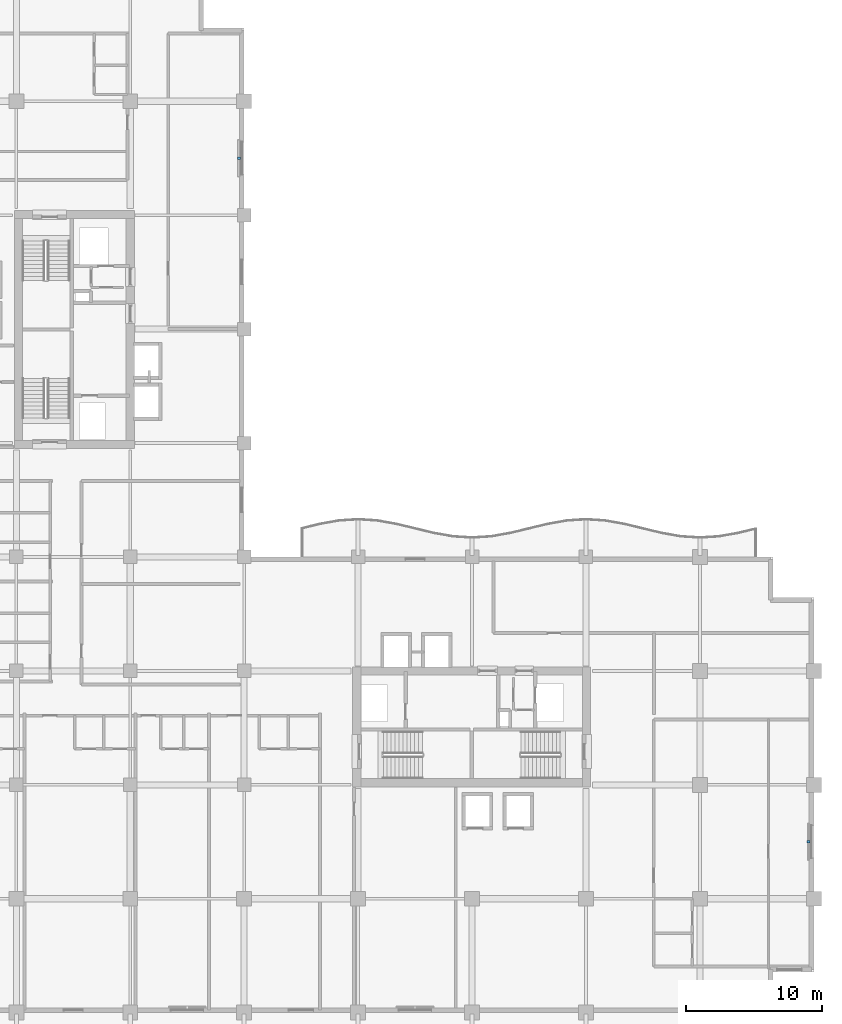
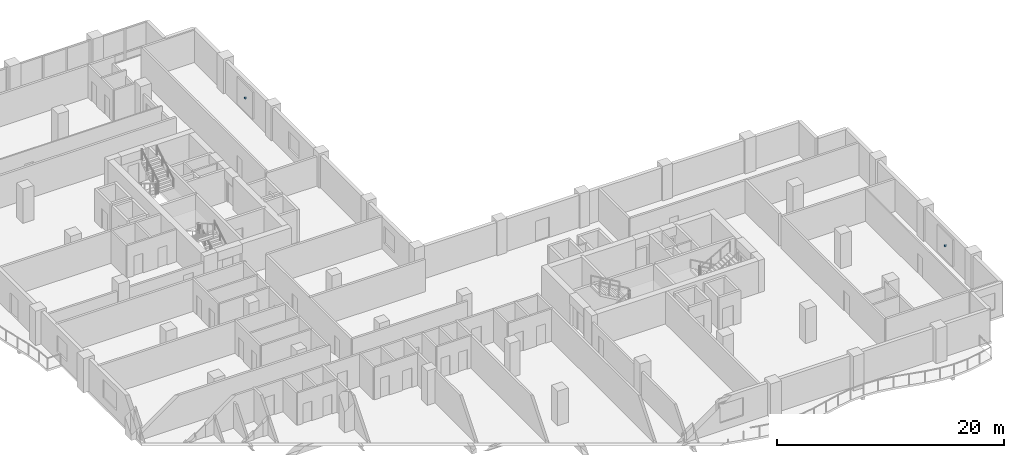
# One storey, part 15 of 19: 2 discrete accessories.
"""IFC4 building model written with IfcOpenShell, lengths in metres."""

from ifc_helpers import new_model, si_unit, direction, frame, origin, origin_2d, place, context, subcontext, project, spatial, rectangle, extrude, material, type_object, element, save


model = new_model("IFC4")

# Units and contexts
model_context = context("Model", 3, precision=1e-05, world=origin(), true_north=direction((0.0, 1.0)))
body_context = subcontext(model_context, "Body", "Model", "MODEL_VIEW")
ifc_project = project(units=[si_unit("LENGTHUNIT", "METRE"), si_unit("AREAUNIT", "SQUARE_METRE"), si_unit("VOLUMEUNIT", "CUBIC_METRE"), si_unit("PLANEANGLEUNIT", "RADIAN"), si_unit("MASSUNIT", "GRAM", prefix="KILO")], contexts=[model_context])

# Site, building, storey
site_placement = place(None, origin())
site = spatial("IfcSite", under=ifc_project, at=site_placement, CompositionType="ELEMENT")
building_placement = place(site_placement, origin())
building = spatial("IfcBuilding", under=site, at=building_placement, Name="Koriwani Terraces Tower", CompositionType="ELEMENT")
storey_placement = place(building_placement, frame((0.0, 0.0, 190.199951171875)))
storey = spatial("IfcBuildingStorey", under=building, at=storey_placement, Name="L46", CompositionType="ELEMENT", Elevation=190.199951171875)

# Discrete accessories
ifc_material = material(Name="Steel ASTM A572 Grade 50", Category="steel")
discrete_accessory_type = type_object("IfcDiscreteAccessoryType", Name="BAGUETTE_STANDOFF_BRACKET", PredefinedType="BRACKET", material=ifc_material)
for number, where, z_axis, x_axis, name in (
    (1, (33.2099609375, 63.0, 1.64501953125), (0.0, 0.0, 1.0), (0.0, -1.0, 0.0), "L46 Terracotta Baguette Bracket (NW_IN-11)"),
    (2, (75.2099609375, 12.60009765625, 1.64501953125), (0.0, 0.0, 1.0), (0.0, -1.0, 0.0), "L46 Terracotta Baguette Bracket (E_TIP-3)"),
):
    element("IfcDiscreteAccessory", number, at=place(storey_placement, frame(where, z_axis=z_axis, x_axis=x_axis)), inside=storey, type_object=discrete_accessory_type, Name=name, PredefinedType="BRACKET", context=body_context, shape_type="SweptSolid", body=[
        extrude(rectangle(XDim=0.159912109375, YDim=0.199951171875, at=origin_2d()), origin(), (0.0, 0.0, 1.0), 0.179931640625),
    ])

save(model, "model.ifc")
